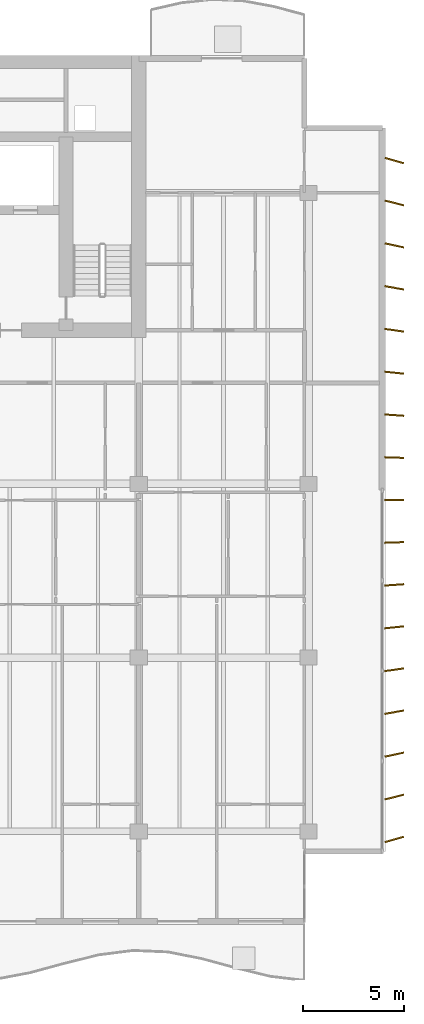
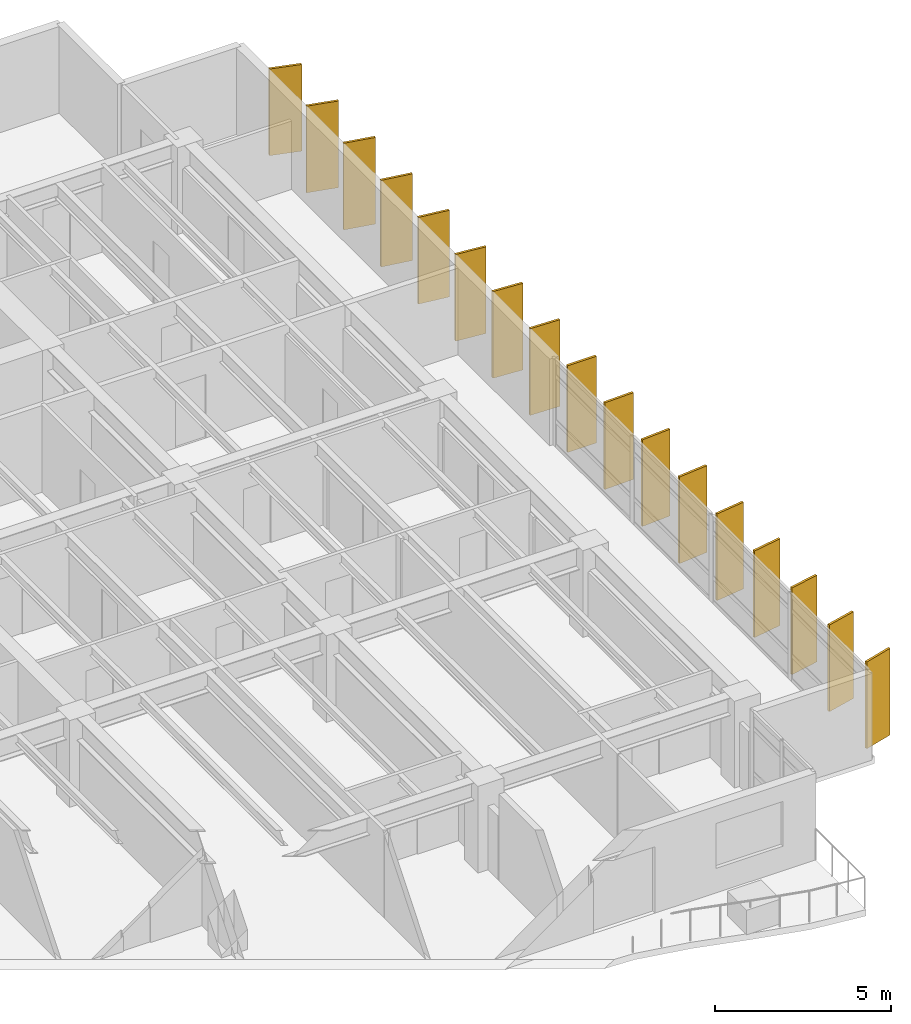
# One storey, part 19 of 19: 17 shading devices.
"""IFC4 building model written with IfcOpenShell, lengths in metres."""

from ifc_helpers import new_model, si_unit, direction, frame, origin, origin_2d, place, context, subcontext, project, spatial, rectangle, extrude, material, material_profile, profile_set, type_object, element, save


model = new_model("IFC4")

# Units and contexts
model_context = context("Model", 3, precision=1e-05, world=origin(), true_north=direction((0.0, 1.0)))
body_context = subcontext(model_context, "Body", "Model", "MODEL_VIEW")
ifc_project = project(units=[si_unit("LENGTHUNIT", "METRE"), si_unit("AREAUNIT", "SQUARE_METRE"), si_unit("VOLUMEUNIT", "CUBIC_METRE"), si_unit("PLANEANGLEUNIT", "RADIAN"), si_unit("MASSUNIT", "GRAM", prefix="KILO")], contexts=[model_context])

# Site, building, storey
site_placement = place(None, origin())
site = spatial("IfcSite", under=ifc_project, at=site_placement, CompositionType="ELEMENT")
building_placement = place(site_placement, origin())
building = spatial("IfcBuilding", under=site, at=building_placement, Name="Caelmar Bay Residences", CompositionType="ELEMENT")
storey_placement = place(building_placement, frame((0.0, 0.0, 218.10009765625)))
storey = spatial("IfcBuildingStorey", under=building, at=storey_placement, Name="L61", CompositionType="ELEMENT", Elevation=218.10009765625)

# Shading devices
ifc_material = material(Name="Anodised architectural bronze aluminium 6063-T6", Category="aluminium")
ifc_material_profile = material_profile(ifc_material, rectangle(XDim=0.074951171875, YDim=0.949951171875, at=origin_2d()), Name="BRONZE-FIN-75X950")
ifc_profile_set = profile_set([ifc_material_profile], Name="Anodised architectural bronze aluminium 6063-T6")
shading_device_type = type_object("IfcShadingDeviceType", Name="SHD-FIN-950", PredefinedType="USERDEFINED", material=ifc_profile_set)
for number, where, z_axis, x_axis, name in (
    (1, (72.14990234375, 11.800048828125, 0.0), (0.0, 0.0, 1.0), (-0.275637355817, 0.961261695938, 0.0), "L61 East Bronze Solar Fin 1"),
    (2, (72.14990234375, 13.89990234375, 0.0), (0.0, 0.0, 1.0), (-0.2419218956, 0.970295726276, 0.0), "L61 East Bronze Solar Fin 2"),
    (3, (72.14990234375, 16.0, 0.0), (0.0, 0.0, 1.0), (-0.207911690818, 0.978147600734, 0.0), "L61 East Bronze Solar Fin 3"),
    (4, (72.14990234375, 18.10009765625, 0.0), (0.0, 0.0, 1.0), (-0.173648177667, 0.984807753012, 0.0), "L61 East Bronze Solar Fin 4"),
    (5, (72.14990234375, 20.199951171875, 0.0), (0.0, 0.0, 1.0), (-0.13917310096, 0.990268068742, 0.0), "L61 East Bronze Solar Fin 5"),
    (6, (72.14990234375, 22.300048828125, 0.0), (0.0, 0.0, 1.0), (-0.104528463268, 0.994521895368, 0.0), "L61 East Bronze Solar Fin 6"),
    (7, (72.14990234375, 24.39990234375, 0.0), (0.0, 0.0, 1.0), (-0.069756473744, 0.99756405026, 0.0), "L61 East Bronze Solar Fin 7"),
    (8, (72.14990234375, 26.5, 0.0), (0.0, 0.0, 1.0), (-0.034899496703, 0.999390827019, 0.0), "L61 East Bronze Solar Fin 8"),
    (9, (72.14990234375, 28.60009765625, 0.0), (0.0, 0.0, 1.0), (0.0, 1.0, 0.0), "L61 East Bronze Solar Fin 9"),
    (10, (72.14990234375, 30.699951171875, 0.0), (0.0, 0.0, 1.0), (0.034899496703, 0.999390827019, 0.0), "L61 East Bronze Solar Fin 10"),
    (11, (72.14990234375, 32.800048828125, 0.0), (0.0, 0.0, 1.0), (0.069756473744, 0.99756405026, 0.0), "L61 East Bronze Solar Fin 11"),
    (12, (72.14990234375, 34.89990234375, 0.0), (0.0, 0.0, 1.0), (0.104528463268, 0.994521895368, 0.0), "L61 East Bronze Solar Fin 12"),
    (13, (72.14990234375, 37.0, 0.0), (0.0, 0.0, 1.0), (0.13917310096, 0.990268068742, 0.0), "L61 East Bronze Solar Fin 13"),
    (14, (72.14990234375, 39.10009765625, 0.0), (0.0, 0.0, 1.0), (0.173648177667, 0.984807753012, 0.0), "L61 East Bronze Solar Fin 14"),
    (15, (72.14990234375, 41.199951171875, 0.0), (0.0, 0.0, 1.0), (0.207911690818, 0.978147600734, 0.0), "L61 East Bronze Solar Fin 15"),
    (16, (72.14990234375, 43.300048828125, 0.0), (0.0, 0.0, 1.0), (0.2419218956, 0.970295726276, 0.0), "L61 East Bronze Solar Fin 16"),
    (17, (72.14990234375, 45.39990234375, 0.0), (0.0, 0.0, 1.0), (0.275637355817, 0.961261695938, 0.0), "L61 East Bronze Solar Fin 17"),
):
    element("IfcShadingDevice", number, at=place(storey_placement, frame(where, z_axis=z_axis, x_axis=x_axis)), inside=storey, type_object=shading_device_type, Name=name, ObjectType="FIN", PredefinedType="USERDEFINED", context=body_context, shape_type="SweptSolid", body=[
        extrude(rectangle(XDim=0.074951171875, YDim=0.949951171875, at=origin_2d()), origin(), (0.0, 0.0, 1.0), 3.0),
    ])

save(model, "model.ifc")
